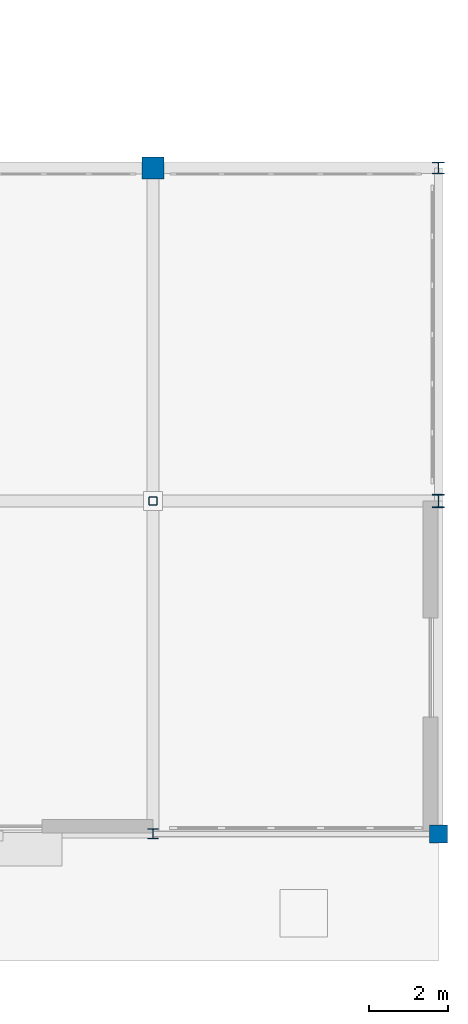
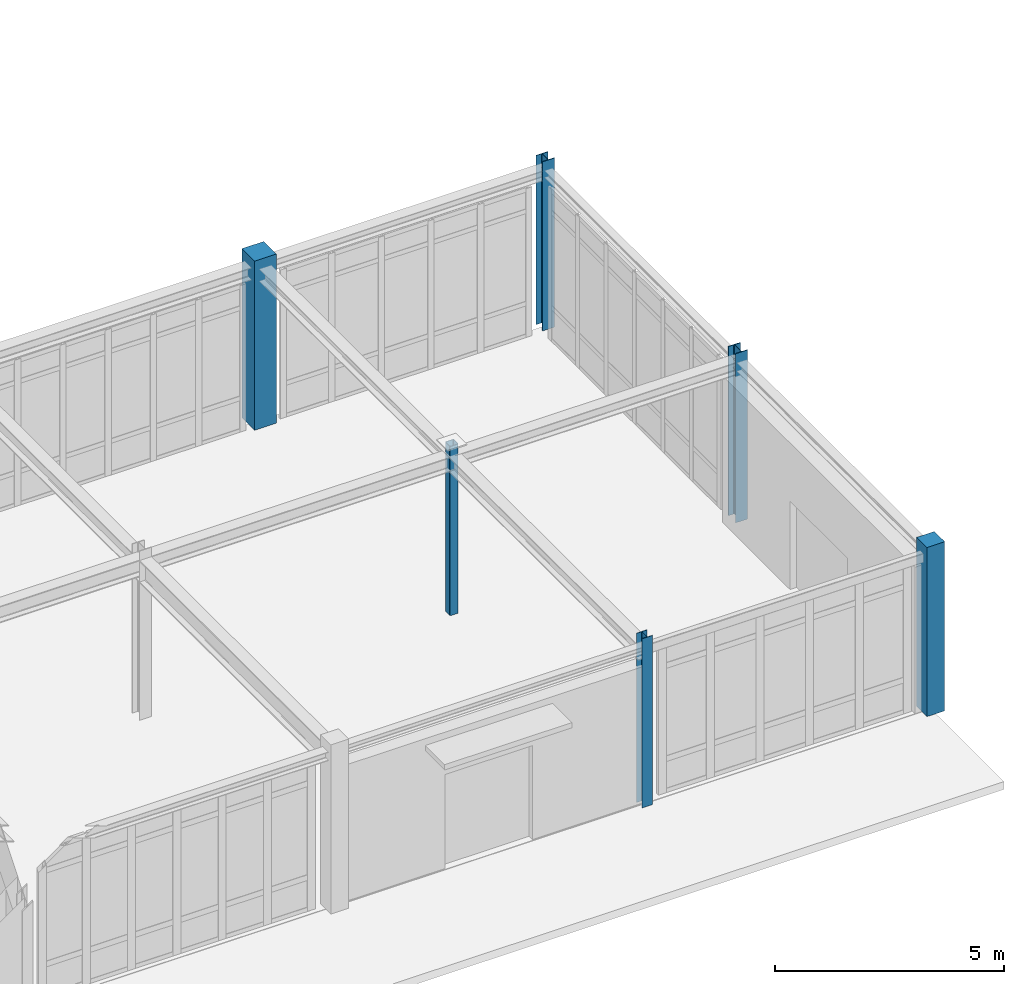
# One storey, part 20 of 101: 6 columns.
"""IFC4 building model written with IfcOpenShell, lengths in metres."""

from ifc_helpers import new_model, si_unit, derived_unit, direction, frame, origin, origin_2d, place, context, subcontext, project, spatial, rectangle, hollow_rectangle, i_section, extrude, material, material_profile, profile_set, type_object, element, save


model = new_model("IFC4")

# Units and contexts
model_context = context("Model", 3, precision=1e-05, world=origin(), true_north=direction((0.0, 1.0)))
body_context = subcontext(model_context, "Body", "Model", "MODEL_VIEW")
ifc_project = project(units=[si_unit("LENGTHUNIT", "METRE"), si_unit("AREAUNIT", "SQUARE_METRE"), si_unit("VOLUMEUNIT", "CUBIC_METRE"), si_unit("PLANEANGLEUNIT", "RADIAN"), si_unit("MASSUNIT", "GRAM", prefix="KILO"), derived_unit("THERMALTRANSMITTANCEUNIT", [(si_unit("POWERUNIT", "WATT"), 1), (si_unit("AREAUNIT", "SQUARE_METRE"), -1), (si_unit("THERMODYNAMICTEMPERATUREUNIT", "KELVIN"), -1)])], contexts=[model_context])

# Site, building, storey
site_placement = place(None, origin())
site = spatial("IfcSite", under=ifc_project, at=site_placement, CompositionType="ELEMENT")
building_placement = place(site_placement, origin())
building = spatial("IfcBuilding", under=site, at=building_placement, Name="Yasenodar Specialist Clinic", CompositionType="ELEMENT")
storey_placement = place(building_placement, origin())
storey = spatial("IfcBuildingStorey", under=building, at=storey_placement, Name="L00", CompositionType="ELEMENT", Elevation=0.0)

# Columns
ifc_material_1 = material(Name="Concrete C35/45", Category="concrete")
ifc_material_profile_1 = material_profile(ifc_material_1, rectangle(XDim=0.449951171875, YDim=0.449951171875, at=origin_2d()), Name="RC 450x450")
ifc_profile_set_1 = profile_set([ifc_material_profile_1], Name="Concrete C35/45")
column_type_1 = type_object("IfcColumnType", Name="COL-RC-450", PredefinedType="COLUMN", material=ifc_profile_set_1)
column_1_placement = place(storey_placement, frame((161.39990234375, 0.0, 0.0), z_axis=(0.0, 0.0, 1.0), x_axis=(1.0, 0.0, 0.0)))
element("IfcColumn", 1, at=column_1_placement, inside=storey, type_object=column_type_1, Name="L00 Column V3E-167", PredefinedType="COLUMN", context=body_context, shape_type="SweptSolid", body=[
    extrude(rectangle(XDim=0.449951171875, YDim=0.449951171875, at=origin_2d()), origin(), (0.0, 0.0, 1.0), 4.5),
])
ifc_material_profile_2 = material_profile(ifc_material_1, rectangle(XDim=0.550048828125, YDim=0.550048828125, at=origin_2d()), Name="RC 550x550")
ifc_profile_set_2 = profile_set([ifc_material_profile_2], Name="Concrete C35/45")
column_type_2 = type_object("IfcColumnType", Name="COL-RC-550", PredefinedType="COLUMN", material=ifc_profile_set_2)
column_2_placement = place(storey_placement, frame((154.199951171875, 16.800048828125, 0.0), z_axis=(0.0, 0.0, 1.0), x_axis=(1.0, 0.0, 0.0)))
element("IfcColumn", 2, at=column_2_placement, inside=storey, type_object=column_type_2, Name="L00 Column V3E-166", PredefinedType="COLUMN", context=body_context, shape_type="SweptSolid", body=[
    extrude(rectangle(XDim=0.550048828125, YDim=0.550048828125, at=origin_2d()), origin(), (0.0, 0.0, 1.0), 4.5),
])
ifc_material_2 = material(Name="Steel S355", Category="steel")
ifc_material_profile_3 = material_profile(ifc_material_2, i_section(OverallWidth=0.260009765625, OverallDepth=0.25, WebThickness=0.007568359375, FlangeThickness=0.012451171875, FilletRadius=0.02392578125, at=origin_2d()), Name="HEA 260")
ifc_profile_set_3 = profile_set([ifc_material_profile_3], Name="Steel S355")
column_type_3 = type_object("IfcColumnType", Name="COL-ST-HEA260", PredefinedType="COLUMN", material=ifc_profile_set_3)
column_3_placement = place(storey_placement, frame((154.199951171875, 0.0, 0.0), z_axis=(0.0, 0.0, 1.0), x_axis=(1.0, 0.0, 0.0)))
element("IfcColumn", 3, at=column_3_placement, inside=storey, type_object=column_type_3, Name="L00 Column V3E-164", PredefinedType="COLUMN", context=body_context, shape_type="SweptSolid", body=[
    extrude(i_section(OverallWidth=0.260009765625, OverallDepth=0.25, WebThickness=0.007568359375, FlangeThickness=0.012451171875, FilletRadius=0.02392578125, at=origin_2d()), origin(), (0.0, 0.0, 1.0), 4.5),
])
ifc_material_profile_4 = material_profile(ifc_material_2, i_section(OverallWidth=0.300048828125, OverallDepth=0.2900390625, WebThickness=0.008544921875, FlangeThickness=0.013916015625, FilletRadius=0.027099609375, at=origin_2d()), Name="HEA 300")
ifc_profile_set_4 = profile_set([ifc_material_profile_4], Name="Steel S355")
column_type_4 = type_object("IfcColumnType", Name="COL-ST-HEA300", PredefinedType="COLUMN", material=ifc_profile_set_4)
column_4_placement = place(storey_placement, frame((161.39990234375, 16.800048828125, 0.0), z_axis=(0.0, 0.0, 1.0), x_axis=(1.0, 0.0, 0.0)))
element("IfcColumn", 4, at=column_4_placement, inside=storey, type_object=column_type_4, Name="L00 Column V3E-169", PredefinedType="COLUMN", context=body_context, shape_type="SweptSolid", body=[
    extrude(i_section(OverallWidth=0.300048828125, OverallDepth=0.2900390625, WebThickness=0.008544921875, FlangeThickness=0.013916015625, FilletRadius=0.027099609375, at=origin_2d()), origin(), (0.0, 0.0, 1.0), 4.5),
])
ifc_material_profile_5 = material_profile(ifc_material_2, i_section(OverallWidth=0.300048828125, OverallDepth=0.330078125, WebThickness=0.009521484375, FlangeThickness=0.0166015625, FilletRadius=0.027099609375, at=origin_2d()), Name="HEA 340")
ifc_profile_set_5 = profile_set([ifc_material_profile_5], Name="Steel S355")
column_type_5 = type_object("IfcColumnType", Name="COL-ST-HEA340", PredefinedType="COLUMN", material=ifc_profile_set_5)
column_5_placement = place(storey_placement, frame((161.39990234375, 8.39990234375, 0.0), z_axis=(0.0, 0.0, 1.0), x_axis=(1.0, 0.0, 0.0)))
element("IfcColumn", 5, at=column_5_placement, inside=storey, type_object=column_type_5, Name="L00 Column V3E-168", PredefinedType="COLUMN", context=body_context, shape_type="SweptSolid", body=[
    extrude(i_section(OverallWidth=0.300048828125, OverallDepth=0.330078125, WebThickness=0.009521484375, FlangeThickness=0.0166015625, FilletRadius=0.027099609375, at=origin_2d()), origin(), (0.0, 0.0, 1.0), 4.5),
])
ifc_material_profile_6 = material_profile(ifc_material_2, hollow_rectangle(XDim=0.219970703125, YDim=0.219970703125, WallThickness=0.012451171875, InnerFilletRadius=0.018798828125, OuterFilletRadius=0.03125, at=origin_2d()), Name="SHS 220x220x12.5")
ifc_profile_set_6 = profile_set([ifc_material_profile_6], Name="Steel S355")
column_type_6 = type_object("IfcColumnType", Name="COL-ST-SHS220", PredefinedType="COLUMN", material=ifc_profile_set_6)
column_6_placement = place(storey_placement, frame((154.199951171875, 8.39990234375, 0.0), z_axis=(0.0, 0.0, 1.0), x_axis=(1.0, 0.0, 0.0)))
element("IfcColumn", 6, at=column_6_placement, inside=storey, type_object=column_type_6, Name="L00 Column V3E-165", PredefinedType="COLUMN", context=body_context, shape_type="SweptSolid", body=[
    extrude(hollow_rectangle(XDim=0.219970703125, YDim=0.219970703125, WallThickness=0.012451171875, InnerFilletRadius=0.018798828125, OuterFilletRadius=0.03125, at=origin_2d()), origin(), (0.0, 0.0, 1.0), 4.5),
])

save(model, "model.ifc")
